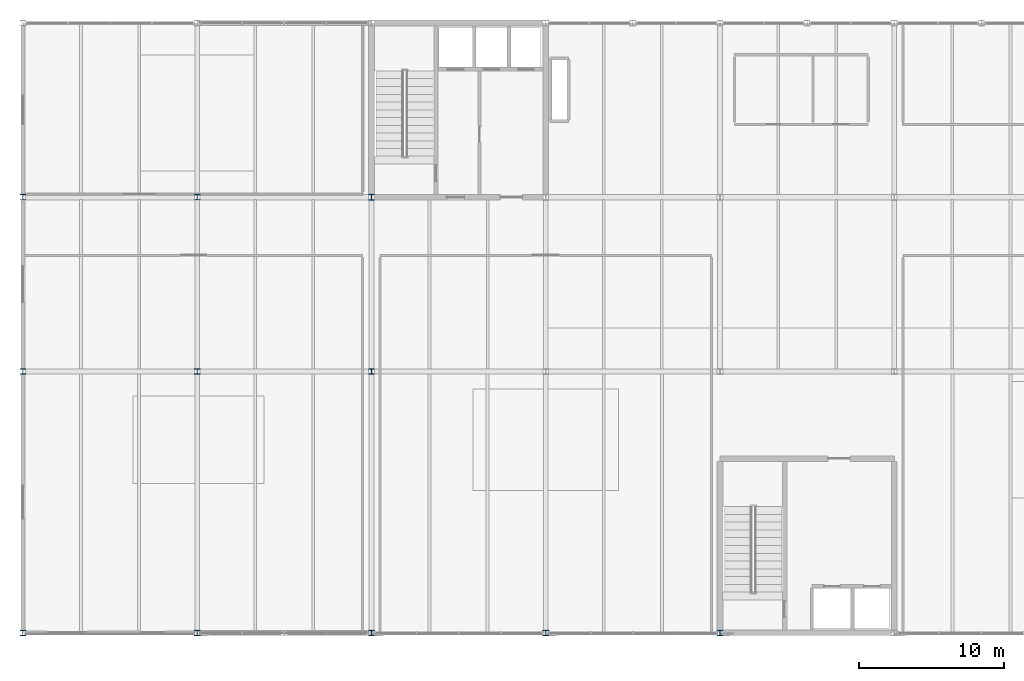
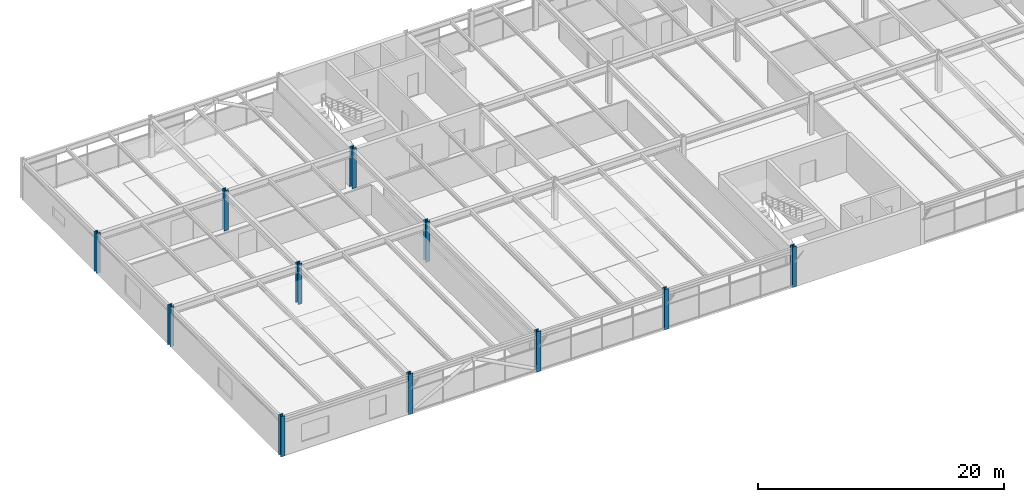
# One storey, part 1 of 51: 11 columns.
"""IFC4 building model written with IfcOpenShell, lengths in metres."""

from ifc_helpers import new_model, si_unit, direction, frame, origin, origin_2d, place, context, subcontext, project, spatial, i_section, extrude, material, material_profile, profile_set, type_object, element, save


model = new_model("IFC4")

# Units and contexts
model_context = context("Model", 3, precision=1e-05, world=origin(), true_north=direction((0.0, 1.0)))
body_context = subcontext(model_context, "Body", "Model", "MODEL_VIEW")
ifc_project = project(units=[si_unit("LENGTHUNIT", "METRE"), si_unit("AREAUNIT", "SQUARE_METRE"), si_unit("VOLUMEUNIT", "CUBIC_METRE"), si_unit("PLANEANGLEUNIT", "RADIAN"), si_unit("MASSUNIT", "GRAM", prefix="KILO")], contexts=[model_context])

# Site, building, storey
site_placement = place(None, origin())
site = spatial("IfcSite", under=ifc_project, at=site_placement, CompositionType="ELEMENT")
building_placement = place(site_placement, origin())
building = spatial("IfcBuilding", under=site, at=building_placement, Name="Girod Span Mobility Hub", CompositionType="ELEMENT")
storey_placement = place(building_placement, frame((0.0, 0.0, 41.60009765625)))
storey = spatial("IfcBuildingStorey", under=building, at=storey_placement, Name="L10", CompositionType="ELEMENT", Elevation=41.60009765625)

# Columns
ifc_material_1 = material(Name="Steel A992 Grade 50", Category="steel")
ifc_material_profile_1 = material_profile(ifc_material_1, i_section(OverallWidth=0.39404296875, OverallDepth=0.375, WebThickness=0.017333984375, FlangeThickness=0.027587890625, FilletRadius=0.01806640625, at=origin_2d()), Name="W14X145")
ifc_profile_set_1 = profile_set([ifc_material_profile_1], Name="Steel A992 Grade 50")
column_type_1 = type_object("IfcColumnType", Name="COL-STL-W14X145", PredefinedType="COLUMN", material=ifc_profile_set_1)
for number, where, z_axis, x_axis, name in (
    (1, (24.0, 27.0, 0.0), (0.0, 0.0, 1.0), (1.0, 0.0, 0.0), "Column 3C L10"),
    (2, (24.0, 45.0, 0.0), (0.0, 0.0, 1.0), (1.0, 0.0, 0.0), "Column 3D L10"),
    (3, (24.0, 57.0, 0.0), (0.0, 0.0, 1.0), (1.0, 0.0, 0.0), "Column 3E L10"),
    (4, (36.0, 27.0, 0.0), (0.0, 0.0, 1.0), (1.0, 0.0, 0.0), "Column 4C L10"),
    (5, (36.0, 45.0, 0.0), (0.0, 0.0, 1.0), (1.0, 0.0, 0.0), "Column 4D L10"),
    (6, (36.0, 57.0, 0.0), (0.0, 0.0, 1.0), (1.0, 0.0, 0.0), "Column 4E L10"),
    (7, (48.0, 27.0, 0.0), (0.0, 0.0, 1.0), (1.0, 0.0, 0.0), "Column 5C L10"),
    (8, (60.0, 27.0, 0.0), (0.0, 0.0, 1.0), (1.0, 0.0, 0.0), "Column 6C L10"),
    (9, (72.0, 27.0, 0.0), (0.0, 0.0, 1.0), (1.0, 0.0, 0.0), "Column 7C L10"),
):
    element("IfcColumn", number, at=place(storey_placement, frame(where, z_axis=z_axis, x_axis=x_axis)), inside=storey, type_object=column_type_1, Name=name, PredefinedType="COLUMN", context=body_context, shape_type="SweptSolid", body=[
        extrude(i_section(OverallWidth=0.39404296875, OverallDepth=0.375, WebThickness=0.017333984375, FlangeThickness=0.027587890625, FilletRadius=0.01806640625, at=origin_2d()), origin(), (0.0, 0.0, 1.0), 4.0),
    ])
ifc_material_2 = material(Name="Steel A992 Grade 50", Category="steel")
ifc_material_profile_2 = material_profile(ifc_material_2, i_section(OverallWidth=0.39892578125, OverallDepth=0.39306640625, WebThickness=0.022705078125, FlangeThickness=0.03662109375, FilletRadius=0.01806640625, at=origin_2d()), Name="W14X193")
ifc_profile_set_2 = profile_set([ifc_material_profile_2], Name="Steel A992 Grade 50")
column_type_2 = type_object("IfcColumnType", Name="COL-STL-W14X193", PredefinedType="COLUMN", material=ifc_profile_set_2)
for number, where, z_axis, x_axis, name in (
    (10, (48.0, 45.0, 0.0), (0.0, 0.0, 1.0), (1.0, 0.0, 0.0), "Column 5D L10"),
    (11, (48.0, 57.0, 0.0), (0.0, 0.0, 1.0), (1.0, 0.0, 0.0), "Column 5E L10"),
):
    element("IfcColumn", number, at=place(storey_placement, frame(where, z_axis=z_axis, x_axis=x_axis)), inside=storey, type_object=column_type_2, Name=name, PredefinedType="COLUMN", context=body_context, shape_type="SweptSolid", body=[
        extrude(i_section(OverallWidth=0.39892578125, OverallDepth=0.39306640625, WebThickness=0.022705078125, FlangeThickness=0.03662109375, FilletRadius=0.01806640625, at=origin_2d()), origin(), (0.0, 0.0, 1.0), 4.0),
    ])

save(model, "model.ifc")
